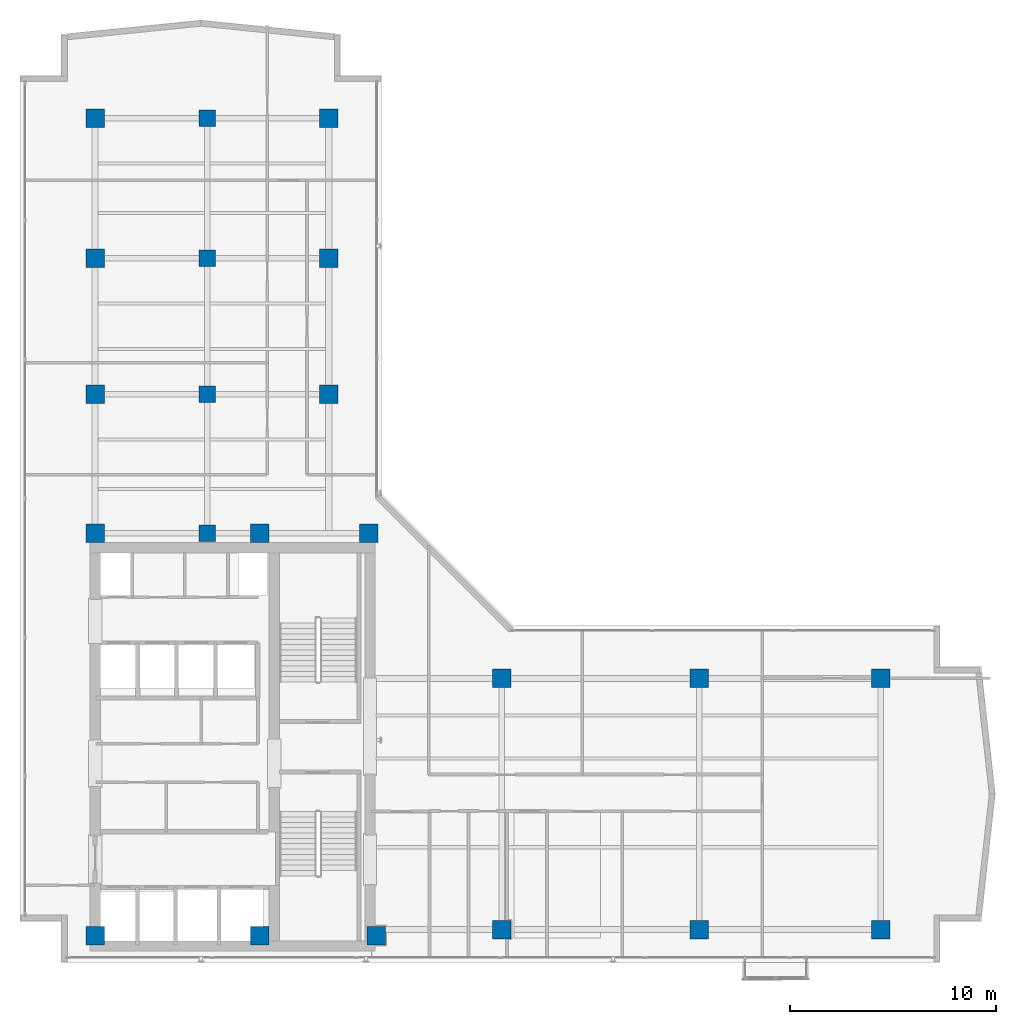
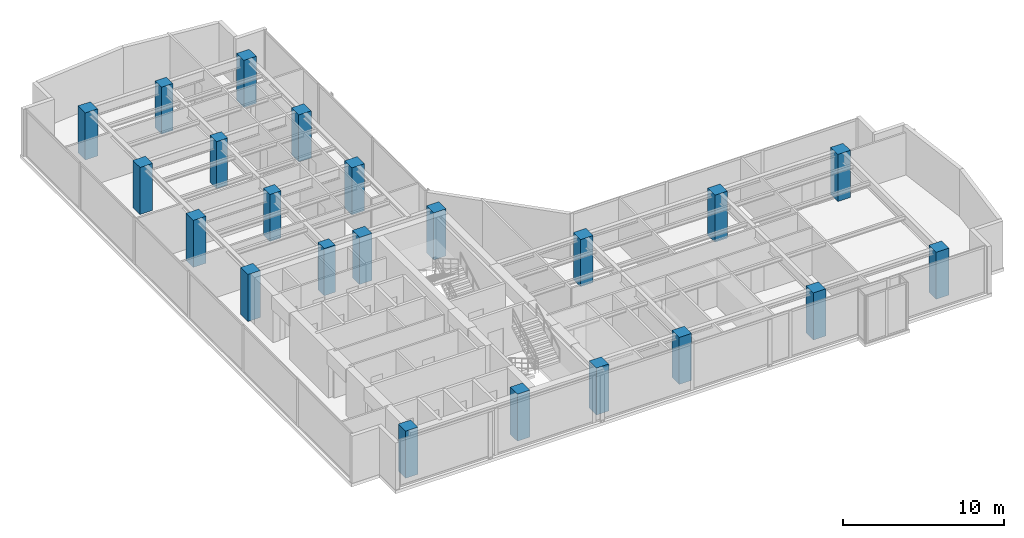
# One storey, part 1 of 22: 22 columns.
"""IFC4 building model written with IfcOpenShell, lengths in metres."""

import ifcopenshell
import ifcopenshell.guid

model = None  # the IFC model being written
_history = None  # IfcOwnerHistory: only IFC2X3 demands one
_inside = {}  # id of a spatial element -> (the spatial element, [elements in it])
_under = {}  # id of a project, library or spatial element -> (it, [spatial elements below it])
_declared = {}  # id of a project -> (the project, [libraries it declares])
_typed = {}  # id of a type object -> (the type object, [elements of that type])
_made_of = {}  # id of a material, layer set ... -> (it, [elements and type objects made of it])


def new_model(schema):
    """Start an empty IFC model of exactly this schema.

    Asked for "IFC4X3", IfcOpenShell would pick the latest addendum, in which some entities
    have other attributes; the version numbers below select the first issue.
    IFC2X3 requires an IfcOwnerHistory on every rooted entity: one is made here for all.
    """
    global model, _history
    if schema == "IFC4X3":
        model = ifcopenshell.file(schema_version=(4, 3, 0, 0))
    else:
        model = ifcopenshell.file(schema=schema)
    _inside.clear()
    _under.clear()
    _declared.clear()
    _typed.clear()
    _made_of.clear()
    _history = None
    if model.schema == "IFC2X3":
        org = make("IfcOrganization", Name="unknown")
        user = make(
            "IfcPersonAndOrganization",
            ThePerson=make("IfcPerson", FamilyName="unknown"),
            TheOrganization=org,
        )
        app = make(
            "IfcApplication",
            ApplicationDeveloper=org,
            Version="unknown",
            ApplicationFullName="unknown",
            ApplicationIdentifier="unknown",
        )
        _history = make(
            "IfcOwnerHistory",
            OwningUser=user,
            OwningApplication=app,
            ChangeAction="ADDED",
            CreationDate=0,
        )
    return model


def make(cls, **values):
    """One entity of the class cls with the attributes given. An attribute that is None is left unset."""
    return model.create_entity(
        cls, **{name: value for name, value in values.items() if value is not None}
    )


def rooted(cls, **values):
    """An entity with a GlobalId (a new one), such as an element, a storey or a relation."""
    return make(cls, GlobalId=ifcopenshell.guid.new(), OwnerHistory=_history, **values)


def si_unit(unit_type, name, prefix=None):
    """IfcSIUnit, for example si_unit("LENGTHUNIT", "METRE", prefix="MILLI")."""
    return make("IfcSIUnit", UnitType=unit_type, Prefix=prefix, Name=name)


def assignment(units):
    """IfcUnitAssignment: the units of a project."""
    return None if units is None else make("IfcUnitAssignment", Units=units)


def point(xyz):
    """IfcCartesianPoint."""
    return None if xyz is None else make("IfcCartesianPoint", Coordinates=xyz)


def direction(xyz):
    """IfcDirection."""
    return None if xyz is None else make("IfcDirection", DirectionRatios=xyz)


def frame(location, z_axis=None, x_axis=None):
    """IfcAxis2Placement3D, a coordinate frame: its origin and axes. An axis left out is left unset."""
    return make(
        "IfcAxis2Placement3D",
        Location=point(location),
        Axis=direction(z_axis),
        RefDirection=direction(x_axis),
    )


def frame_2d(location, x_axis=None):
    """IfcAxis2Placement2D, a coordinate frame in the plane: its origin and x axis."""
    return make(
        "IfcAxis2Placement2D", Location=point(location), RefDirection=direction(x_axis)
    )


def origin():
    """The frame at (0, 0, 0) with its axes left unset."""
    return frame((0.0, 0.0, 0.0))


def origin_2d():
    """The frame at (0, 0) in the plane with its x axis left unset."""
    return frame_2d((0.0, 0.0))


def place(relative_to, where):
    """IfcLocalPlacement: puts the frame where relative to a parent placement (None: the world)."""
    return make(
        "IfcLocalPlacement", PlacementRelTo=relative_to, RelativePlacement=where
    )


def context(
    kind, dimensions, precision=None, world=None, true_north=None, identifier=None
):
    """IfcGeometricRepresentationContext, for example the 3D "Model" context."""
    return make(
        "IfcGeometricRepresentationContext",
        ContextIdentifier=identifier,
        ContextType=kind,
        CoordinateSpaceDimension=dimensions,
        Precision=precision,
        WorldCoordinateSystem=world,
        TrueNorth=true_north,
    )


def subcontext(parent, identifier, kind, view, scale=None):
    """IfcGeometricRepresentationSubContext, for example "Body" below "Model"."""
    return make(
        "IfcGeometricRepresentationSubContext",
        ContextIdentifier=identifier,
        ContextType=kind,
        ParentContext=parent,
        TargetScale=scale,
        TargetView=view,
    )


def project(units=None, contexts=None):
    """IfcProject with its units and contexts."""
    return rooted(
        "IfcProject",
        Name="project",
        RepresentationContexts=contexts,
        UnitsInContext=assignment(units),
    )


def spatial(cls, under=None, at=None, **own):
    """A site, building, storey or space (cls), placed at a placement, below another one or the project."""
    s = rooted(cls, ObjectPlacement=at, **own)
    if under is not None:
        _under.setdefault(under.id(), (under, []))[1].append(s)
    return s


def profile(cls, at=None, kind="AREA", **sizes):
    """A parametric profile (cls). Its sizes go by their IFC names, for example OverallWidth=200.0."""
    return make(cls, ProfileType=kind, Position=at, **sizes)


def rectangle(**sizes):
    """IfcRectangleProfileDef."""
    return profile("IfcRectangleProfileDef", **sizes)


def extrude(swept, where, along, depth):
    """IfcExtrudedAreaSolid: the profile swept, set in the frame where, extruded along a direction by depth."""
    return make(
        "IfcExtrudedAreaSolid",
        SweptArea=swept,
        Position=where,
        ExtrudedDirection=direction(along),
        Depth=depth,
    )


def shape(context_of_items, identifier, shape_type, items):
    """IfcShapeRepresentation: the items that make up one representation, for example the "Body"."""
    return make(
        "IfcShapeRepresentation",
        ContextOfItems=context_of_items,
        RepresentationIdentifier=identifier,
        RepresentationType=shape_type,
        Items=items,
    )


def material(Name=None, Category=None):
    """IfcMaterial."""
    return make("IfcMaterial", Name=Name, Category=Category)


def material_profile(
    of_material, cross_section, Name=None, Category=None, Priority=None
):
    """IfcMaterialProfile: a cross section and its material."""
    return make(
        "IfcMaterialProfile",
        Name=Name,
        Material=of_material,
        Profile=cross_section,
        Priority=Priority,
        Category=Category,
    )


def profile_set(profiles, Name=None, composite=None):
    """IfcMaterialProfileSet."""
    return make(
        "IfcMaterialProfileSet",
        Name=Name,
        MaterialProfiles=profiles,
        CompositeProfile=composite,
    )


def made_of(thing, what):
    """Note that an element or type object is made of a material, layer set ...; save() writes the relation."""
    if what is not None:
        _made_of.setdefault(what.id(), (what, []))[1].append(thing)
    return thing


def type_object(cls, material=None, **own):
    """A type object (cls), such as IfcWallType, which elements share."""
    return made_of(rooted(cls, **own), material)


def element(
    cls,
    number,
    at=None,
    inside=None,
    cuts=None,
    type_object=None,
    material=None,
    context=None,
    identifier="Body",
    shape_type=None,
    held_by="IfcProductDefinitionShape",
    body=None,
    shapes=None,
    **own,
):
    """One element of the class cls, such as IfcWall. Its Tag is "e" and its number.

    at: its placement. inside: the storey or other place that contains it. cuts: it is an
    opening in that element (IfcRelVoidsElement). A single representation is given by context,
    identifier, shape_type and body (its items); several are given by shapes. held_by: the class
    of the entity that holds the representations. save() writes the other relations.
    """
    e = rooted(cls, Tag="e%d" % number, ObjectPlacement=at, **own)
    if body is not None:
        shapes = [shape(context, identifier, shape_type, body)]
    if shapes is not None:
        e.Representation = make(held_by, Representations=shapes)
    if inside is not None:
        _inside.setdefault(inside.id(), (inside, []))[1].append(e)
    if cuts is not None:
        rooted(
            "IfcRelVoidsElement", RelatingBuildingElement=cuts, RelatedOpeningElement=e
        )
    if type_object is not None:
        _typed.setdefault(type_object.id(), (type_object, []))[1].append(e)
    return made_of(e, material)


def aggregate(whole, parts):
    """IfcRelAggregates: a whole, such as a stair, and the parts it consists of."""
    return rooted("IfcRelAggregates", RelatingObject=whole, RelatedObjects=parts)


def save(model, path):
    """Write the relations noted so far, then the file.

    IfcRelAggregates (storeys below a building ...), IfcRelContainedInSpatialStructure (elements
    in a storey), IfcRelDefinesByType, IfcRelAssociatesMaterial and IfcRelDeclares: one each for
    every whole, place, type object, material and project.
    """
    for whole, parts in _under.values():
        aggregate(whole, parts)
    for where, things in _inside.values():
        rooted(
            "IfcRelContainedInSpatialStructure",
            RelatedElements=things,
            RelatingStructure=where,
        )
    for kind, things in _typed.values():
        rooted("IfcRelDefinesByType", RelatedObjects=things, RelatingType=kind)
    for what, things in _made_of.values():
        rooted("IfcRelAssociatesMaterial", RelatedObjects=things, RelatingMaterial=what)
    for by, libraries in _declared.values():
        rooted("IfcRelDeclares", RelatingContext=by, RelatedDefinitions=libraries)
    model.write(path)


model = new_model("IFC4")

# Units and contexts
model_context = context("Model", 3, precision=1e-05, world=origin(), true_north=direction((0.0, 1.0)))
body_context = subcontext(model_context, "Body", "Model", "MODEL_VIEW")
ifc_project = project(units=[si_unit("LENGTHUNIT", "METRE"), si_unit("AREAUNIT", "SQUARE_METRE"), si_unit("VOLUMEUNIT", "CUBIC_METRE"), si_unit("PLANEANGLEUNIT", "RADIAN"), si_unit("MASSUNIT", "GRAM", prefix="KILO")], contexts=[model_context])

# Site, building, storey
site_placement = place(None, origin())
site = spatial("IfcSite", under=ifc_project, at=site_placement, CompositionType="ELEMENT")
building_placement = place(site_placement, origin())
building = spatial("IfcBuilding", under=site, at=building_placement, Name="Kolvaren Waterfront Exchange", CompositionType="ELEMENT")
storey_placement = place(building_placement, frame((0.0, 0.0, 274.199951171875)))
storey = spatial("IfcBuildingStorey", under=building, at=storey_placement, Name="L70", CompositionType="ELEMENT", Elevation=274.199951171875)

# Columns
ifc_material = material(Name="Concrete C50/60", Category="concrete")
ifc_material_profile_1 = material_profile(ifc_material, rectangle(XDim=0.800048828125, YDim=0.800048828125, at=origin_2d()), Name="RC-COL-800x800")
ifc_profile_set_1 = profile_set([ifc_material_profile_1], Name="Concrete C50/60")
column_type_1 = type_object("IfcColumnType", Name="STR-COL-800-C50", PredefinedType="COLUMN", material=ifc_profile_set_1)
for number, where, z_axis, x_axis, name in (
    (1, (12.89990234375, 24.449951171875, 0.0), (0.0, 0.0, 1.0), (1.0, 0.0, 0.0), "L70 column TC01"),
    (2, (12.89990234375, 31.199951171875, 0.0), (0.0, 0.0, 1.0), (1.0, 0.0, 0.0), "L70 column TC02"),
    (3, (12.89990234375, 37.800048828125, 0.0), (0.0, 0.0, 1.0), (1.0, 0.0, 0.0), "L70 column TC03"),
    (4, (12.89990234375, 44.60009765625, 0.0), (0.0, 0.0, 1.0), (1.0, 0.0, 0.0), "L70 column TC04"),
):
    element("IfcColumn", number, at=place(storey_placement, frame(where, z_axis=z_axis, x_axis=x_axis)), inside=storey, type_object=column_type_1, Name=name, PredefinedType="COLUMN", context=body_context, shape_type="SweptSolid", body=[
        extrude(rectangle(XDim=0.800048828125, YDim=0.800048828125, at=origin_2d()), origin(), (0.0, 0.0, 1.0), 3.56005859375),
    ])
ifc_material_profile_2 = material_profile(ifc_material, rectangle(XDim=0.89990234375, YDim=0.89990234375, at=origin_2d()), Name="RC-COL-900x900")
ifc_profile_set_2 = profile_set([ifc_material_profile_2], Name="Concrete C50/60")
column_type_2 = type_object("IfcColumnType", Name="STR-COL-900-C50", PredefinedType="COLUMN", material=ifc_profile_set_2)
for number, where, z_axis, x_axis, name in (
    (5, (7.449951171875, 4.89990234375, 0.0), (0.0, 0.0, 1.0), (1.0, 0.0, 0.0), "L70 column MC01"),
    (6, (15.449951171875, 4.89990234375, 0.0), (0.0, 0.0, 1.0), (1.0, 0.0, 0.0), "L70 column MC02"),
    (7, (21.10009765625, 4.89990234375, 0.0), (0.0, 0.0, 1.0), (1.0, 0.0, 0.0), "L70 column MC03"),
    (8, (7.449951171875, 24.449951171875, 0.0), (0.0, 0.0, 1.0), (1.0, 0.0, 0.0), "L70 column MC04"),
    (9, (15.449951171875, 24.449951171875, 0.0), (0.0, 0.0, 1.0), (1.0, 0.0, 0.0), "L70 column MC05"),
    (10, (20.75, 24.449951171875, 0.0), (0.0, 0.0, 1.0), (1.0, 0.0, 0.0), "L70 column MC06"),
    (11, (7.449951171875, 31.199951171875, 0.0), (0.0, 0.0, 1.0), (1.0, 0.0, 0.0), "L70 column NC01"),
    (12, (7.449951171875, 37.800048828125, 0.0), (0.0, 0.0, 1.0), (1.0, 0.0, 0.0), "L70 column NC02"),
    (13, (7.449951171875, 44.60009765625, 0.0), (0.0, 0.0, 1.0), (1.0, 0.0, 0.0), "L70 column NC03"),
    (14, (18.800048828125, 31.199951171875, 0.0), (0.0, 0.0, 1.0), (1.0, 0.0, 0.0), "L70 column NC04"),
    (15, (18.800048828125, 37.800048828125, 0.0), (0.0, 0.0, 1.0), (1.0, 0.0, 0.0), "L70 column NC05"),
    (16, (18.800048828125, 44.60009765625, 0.0), (0.0, 0.0, 1.0), (1.0, 0.0, 0.0), "L70 column NC06"),
    (17, (27.199951171875, 5.199951171875, 0.0), (0.0, 0.0, 1.0), (1.0, 0.0, 0.0), "L70 column EC01"),
    (18, (36.800048828125, 5.199951171875, 0.0), (0.0, 0.0, 1.0), (1.0, 0.0, 0.0), "L70 column EC02"),
    (19, (45.60009765625, 5.199951171875, 0.0), (0.0, 0.0, 1.0), (1.0, 0.0, 0.0), "L70 column EC03"),
    (20, (27.199951171875, 17.39990234375, 0.0), (0.0, 0.0, 1.0), (1.0, 0.0, 0.0), "L70 column EC04"),
    (21, (36.800048828125, 17.39990234375, 0.0), (0.0, 0.0, 1.0), (1.0, 0.0, 0.0), "L70 column EC05"),
    (22, (45.60009765625, 17.39990234375, 0.0), (0.0, 0.0, 1.0), (1.0, 0.0, 0.0), "L70 column EC06"),
):
    element("IfcColumn", number, at=place(storey_placement, frame(where, z_axis=z_axis, x_axis=x_axis)), inside=storey, type_object=column_type_2, Name=name, PredefinedType="COLUMN", context=body_context, shape_type="SweptSolid", body=[
        extrude(rectangle(XDim=0.89990234375, YDim=0.89990234375, at=origin_2d()), origin(), (0.0, 0.0, 1.0), 3.56005859375),
    ])

save(model, "model.ifc")
